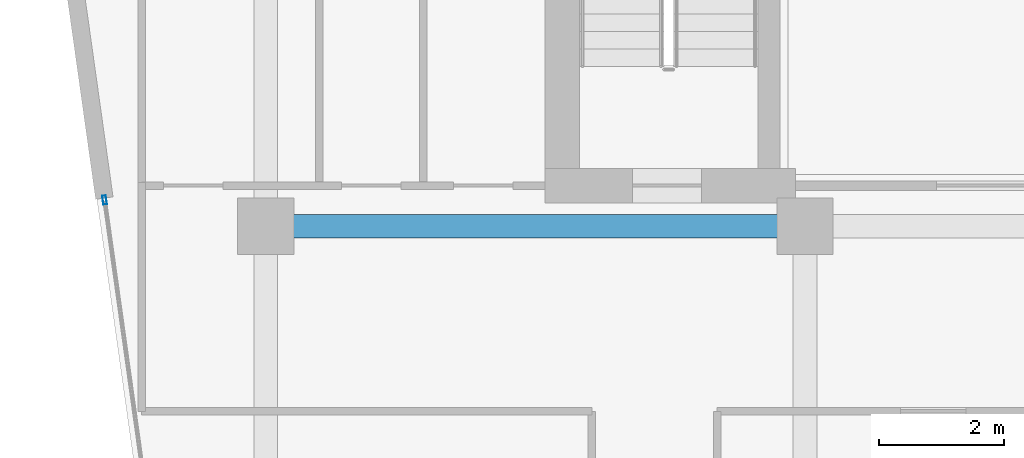
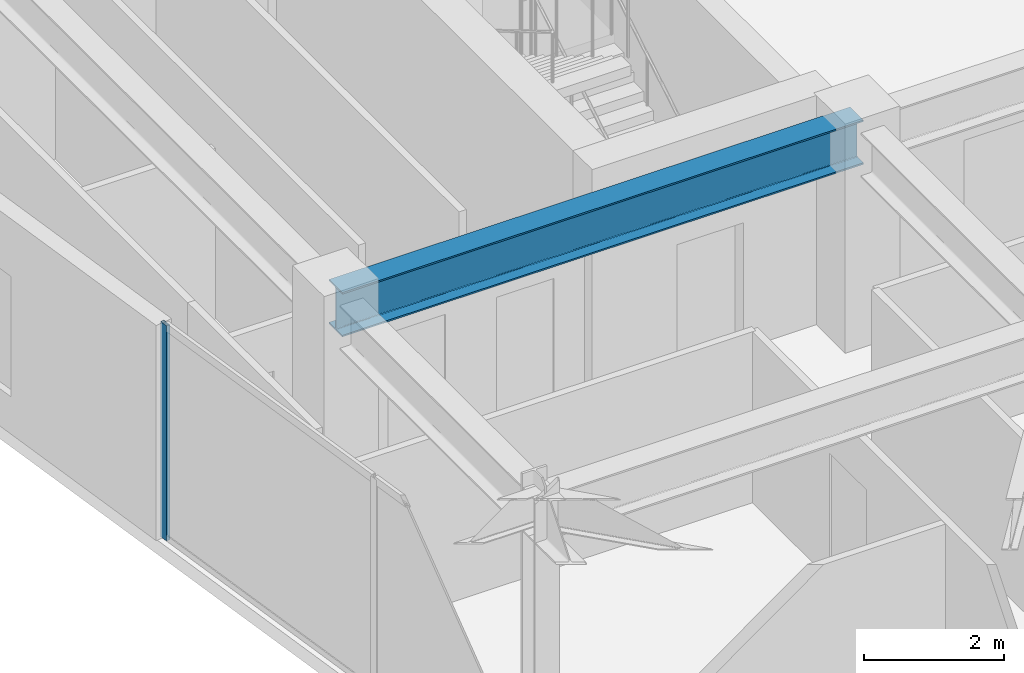
# One storey, part 12 of 26: 1 beam, 1 member, 1 element without a shape of its own.
"""IFC4 building model written with IfcOpenShell, lengths in metres."""

import ifcopenshell
import ifcopenshell.guid

model = None  # the IFC model being written
_history = None  # IfcOwnerHistory: only IFC2X3 demands one
_inside = {}  # id of a spatial element -> (the spatial element, [elements in it])
_under = {}  # id of a project, library or spatial element -> (it, [spatial elements below it])
_declared = {}  # id of a project -> (the project, [libraries it declares])
_typed = {}  # id of a type object -> (the type object, [elements of that type])
_made_of = {}  # id of a material, layer set ... -> (it, [elements and type objects made of it])


def new_model(schema):
    """Start an empty IFC model of exactly this schema.

    Asked for "IFC4X3", IfcOpenShell would pick the latest addendum, in which some entities
    have other attributes; the version numbers below select the first issue.
    IFC2X3 requires an IfcOwnerHistory on every rooted entity: one is made here for all.
    """
    global model, _history
    if schema == "IFC4X3":
        model = ifcopenshell.file(schema_version=(4, 3, 0, 0))
    else:
        model = ifcopenshell.file(schema=schema)
    _inside.clear()
    _under.clear()
    _declared.clear()
    _typed.clear()
    _made_of.clear()
    _history = None
    if model.schema == "IFC2X3":
        org = make("IfcOrganization", Name="unknown")
        user = make(
            "IfcPersonAndOrganization",
            ThePerson=make("IfcPerson", FamilyName="unknown"),
            TheOrganization=org,
        )
        app = make(
            "IfcApplication",
            ApplicationDeveloper=org,
            Version="unknown",
            ApplicationFullName="unknown",
            ApplicationIdentifier="unknown",
        )
        _history = make(
            "IfcOwnerHistory",
            OwningUser=user,
            OwningApplication=app,
            ChangeAction="ADDED",
            CreationDate=0,
        )
    return model


def make(cls, **values):
    """One entity of the class cls with the attributes given. An attribute that is None is left unset."""
    return model.create_entity(
        cls, **{name: value for name, value in values.items() if value is not None}
    )


def rooted(cls, **values):
    """An entity with a GlobalId (a new one), such as an element, a storey or a relation."""
    return make(cls, GlobalId=ifcopenshell.guid.new(), OwnerHistory=_history, **values)


def si_unit(unit_type, name, prefix=None):
    """IfcSIUnit, for example si_unit("LENGTHUNIT", "METRE", prefix="MILLI")."""
    return make("IfcSIUnit", UnitType=unit_type, Prefix=prefix, Name=name)


def assignment(units):
    """IfcUnitAssignment: the units of a project."""
    return None if units is None else make("IfcUnitAssignment", Units=units)


def point(xyz):
    """IfcCartesianPoint."""
    return None if xyz is None else make("IfcCartesianPoint", Coordinates=xyz)


def direction(xyz):
    """IfcDirection."""
    return None if xyz is None else make("IfcDirection", DirectionRatios=xyz)


def frame(location, z_axis=None, x_axis=None):
    """IfcAxis2Placement3D, a coordinate frame: its origin and axes. An axis left out is left unset."""
    return make(
        "IfcAxis2Placement3D",
        Location=point(location),
        Axis=direction(z_axis),
        RefDirection=direction(x_axis),
    )


def frame_2d(location, x_axis=None):
    """IfcAxis2Placement2D, a coordinate frame in the plane: its origin and x axis."""
    return make(
        "IfcAxis2Placement2D", Location=point(location), RefDirection=direction(x_axis)
    )


def origin():
    """The frame at (0, 0, 0) with its axes left unset."""
    return frame((0.0, 0.0, 0.0))


def origin_2d():
    """The frame at (0, 0) in the plane with its x axis left unset."""
    return frame_2d((0.0, 0.0))


def place(relative_to, where):
    """IfcLocalPlacement: puts the frame where relative to a parent placement (None: the world)."""
    return make(
        "IfcLocalPlacement", PlacementRelTo=relative_to, RelativePlacement=where
    )


def context(
    kind, dimensions, precision=None, world=None, true_north=None, identifier=None
):
    """IfcGeometricRepresentationContext, for example the 3D "Model" context."""
    return make(
        "IfcGeometricRepresentationContext",
        ContextIdentifier=identifier,
        ContextType=kind,
        CoordinateSpaceDimension=dimensions,
        Precision=precision,
        WorldCoordinateSystem=world,
        TrueNorth=true_north,
    )


def subcontext(parent, identifier, kind, view, scale=None):
    """IfcGeometricRepresentationSubContext, for example "Body" below "Model"."""
    return make(
        "IfcGeometricRepresentationSubContext",
        ContextIdentifier=identifier,
        ContextType=kind,
        ParentContext=parent,
        TargetScale=scale,
        TargetView=view,
    )


def project(units=None, contexts=None):
    """IfcProject with its units and contexts."""
    return rooted(
        "IfcProject",
        Name="project",
        RepresentationContexts=contexts,
        UnitsInContext=assignment(units),
    )


def spatial(cls, under=None, at=None, **own):
    """A site, building, storey or space (cls), placed at a placement, below another one or the project."""
    s = rooted(cls, ObjectPlacement=at, **own)
    if under is not None:
        _under.setdefault(under.id(), (under, []))[1].append(s)
    return s


def profile(cls, at=None, kind="AREA", **sizes):
    """A parametric profile (cls). Its sizes go by their IFC names, for example OverallWidth=200.0."""
    return make(cls, ProfileType=kind, Position=at, **sizes)


def hollow_rectangle(**sizes):
    """IfcRectangleHollowProfileDef."""
    return profile("IfcRectangleHollowProfileDef", **sizes)


def i_section(**sizes):
    """IfcIShapeProfileDef."""
    return profile("IfcIShapeProfileDef", **sizes)


def extrude(swept, where, along, depth):
    """IfcExtrudedAreaSolid: the profile swept, set in the frame where, extruded along a direction by depth."""
    return make(
        "IfcExtrudedAreaSolid",
        SweptArea=swept,
        Position=where,
        ExtrudedDirection=direction(along),
        Depth=depth,
    )


def shape(context_of_items, identifier, shape_type, items):
    """IfcShapeRepresentation: the items that make up one representation, for example the "Body"."""
    return make(
        "IfcShapeRepresentation",
        ContextOfItems=context_of_items,
        RepresentationIdentifier=identifier,
        RepresentationType=shape_type,
        Items=items,
    )


def material(Name=None, Category=None):
    """IfcMaterial."""
    return make("IfcMaterial", Name=Name, Category=Category)


def layer(
    of_material, thickness, ventilated=None, Name=None, Category=None, Priority=None
):
    """IfcMaterialLayer: one layer of a wall or slab, of a material (None: an air gap)."""
    return make(
        "IfcMaterialLayer",
        Material=of_material,
        LayerThickness=thickness,
        IsVentilated=ventilated,
        Name=Name,
        Category=Category,
        Priority=Priority,
    )


def layer_set(layers, Name=None):
    """IfcMaterialLayerSet."""
    return make("IfcMaterialLayerSet", MaterialLayers=layers, LayerSetName=Name)


def material_profile(
    of_material, cross_section, Name=None, Category=None, Priority=None
):
    """IfcMaterialProfile: a cross section and its material."""
    return make(
        "IfcMaterialProfile",
        Name=Name,
        Material=of_material,
        Profile=cross_section,
        Priority=Priority,
        Category=Category,
    )


def profile_set(profiles, Name=None, composite=None):
    """IfcMaterialProfileSet."""
    return make(
        "IfcMaterialProfileSet",
        Name=Name,
        MaterialProfiles=profiles,
        CompositeProfile=composite,
    )


def made_of(thing, what):
    """Note that an element or type object is made of a material, layer set ...; save() writes the relation."""
    if what is not None:
        _made_of.setdefault(what.id(), (what, []))[1].append(thing)
    return thing


def type_object(cls, material=None, **own):
    """A type object (cls), such as IfcWallType, which elements share."""
    return made_of(rooted(cls, **own), material)


def element(
    cls,
    number,
    at=None,
    inside=None,
    cuts=None,
    type_object=None,
    material=None,
    context=None,
    identifier="Body",
    shape_type=None,
    held_by="IfcProductDefinitionShape",
    body=None,
    shapes=None,
    **own,
):
    """One element of the class cls, such as IfcWall. Its Tag is "e" and its number.

    at: its placement. inside: the storey or other place that contains it. cuts: it is an
    opening in that element (IfcRelVoidsElement). A single representation is given by context,
    identifier, shape_type and body (its items); several are given by shapes. held_by: the class
    of the entity that holds the representations. save() writes the other relations.
    """
    e = rooted(cls, Tag="e%d" % number, ObjectPlacement=at, **own)
    if body is not None:
        shapes = [shape(context, identifier, shape_type, body)]
    if shapes is not None:
        e.Representation = make(held_by, Representations=shapes)
    if inside is not None:
        _inside.setdefault(inside.id(), (inside, []))[1].append(e)
    if cuts is not None:
        rooted(
            "IfcRelVoidsElement", RelatingBuildingElement=cuts, RelatedOpeningElement=e
        )
    if type_object is not None:
        _typed.setdefault(type_object.id(), (type_object, []))[1].append(e)
    return made_of(e, material)


def aggregate(whole, parts):
    """IfcRelAggregates: a whole, such as a stair, and the parts it consists of."""
    return rooted("IfcRelAggregates", RelatingObject=whole, RelatedObjects=parts)


def save(model, path):
    """Write the relations noted so far, then the file.

    IfcRelAggregates (storeys below a building ...), IfcRelContainedInSpatialStructure (elements
    in a storey), IfcRelDefinesByType, IfcRelAssociatesMaterial and IfcRelDeclares: one each for
    every whole, place, type object, material and project.
    """
    for whole, parts in _under.values():
        aggregate(whole, parts)
    for where, things in _inside.values():
        rooted(
            "IfcRelContainedInSpatialStructure",
            RelatedElements=things,
            RelatingStructure=where,
        )
    for kind, things in _typed.values():
        rooted("IfcRelDefinesByType", RelatedObjects=things, RelatingType=kind)
    for what, things in _made_of.values():
        rooted("IfcRelAssociatesMaterial", RelatedObjects=things, RelatingMaterial=what)
    for by, libraries in _declared.values():
        rooted("IfcRelDeclares", RelatingContext=by, RelatedDefinitions=libraries)
    model.write(path)


model = new_model("IFC4")

# Units and contexts
model_context = context("Model", 3, precision=1e-05, world=origin(), true_north=direction((0.0, 1.0)))
body_context = subcontext(model_context, "Body", "Model", "MODEL_VIEW")
ifc_project = project(units=[si_unit("LENGTHUNIT", "METRE"), si_unit("AREAUNIT", "SQUARE_METRE"), si_unit("VOLUMEUNIT", "CUBIC_METRE"), si_unit("PLANEANGLEUNIT", "RADIAN"), si_unit("MASSUNIT", "GRAM", prefix="KILO")], contexts=[model_context])

# Site, building, storey
site_placement = place(None, origin())
site = spatial("IfcSite", under=ifc_project, at=site_placement, CompositionType="ELEMENT")
building_placement = place(site_placement, origin())
building = spatial("IfcBuilding", under=site, at=building_placement, Name="Kravanh Interchange Tower", CompositionType="ELEMENT")
storey_placement = place(building_placement, frame((0.0, 0.0, 212.5)))
storey = spatial("IfcBuildingStorey", under=building, at=storey_placement, Name="L51", CompositionType="ELEMENT", Elevation=212.5)

# Curtain wall, member
ifc_material_1 = material(Name="Anodised Bronze Aluminium", Category="aluminium")
ifc_layer = layer(ifc_material_1, 0.179931640625)
ifc_layer_set = layer_set([ifc_layer], Name="Unitised Curtain Wall System CW-Z3 Upper Office")
curtain_wall_type = type_object("IfcCurtainWallType", Name="Unitised Curtain Wall System CW-Z3 Upper Office", PredefinedType="NOTDEFINED", material=ifc_layer_set)
curtain_wall_placement = place(storey_placement, origin())
curtain_wall = element("IfcCurtainWall", 1, at=curtain_wall_placement, inside=storey, type_object=curtain_wall_type, Name="L51 Unitised Curtain Wall CW-L51-01", PredefinedType="NOTDEFINED")
ifc_material_2 = material(Name="Anodised Bronze Aluminium", Category="aluminium")
ifc_material_profile_1 = material_profile(ifc_material_2, hollow_rectangle(XDim=0.06005859375, YDim=0.139892578125, WallThickness=0.00390625, at=origin_2d()), Name="ALU60X140X4")
ifc_profile_set_1 = profile_set([ifc_material_profile_1], Name="Anodised Bronze Aluminium")
member_type = type_object("IfcMemberType", Name="Curtain Wall Mullion ALU60X140X4 Bronze", PredefinedType="MULLION", material=ifc_profile_set_1)
member_placement = place(storey_placement, frame((16.029296875, 37.770263671875, 0.0), z_axis=(0.0, 0.0, 1.0), x_axis=(-0.990268194035, -0.139172209446, 0.0)))
member = element("IfcMember", 2, at=member_placement, type_object=member_type, Name="CW-Z3 mullion 6", PredefinedType="MULLION", context=body_context, shape_type="SweptSolid", body=[
    extrude(hollow_rectangle(XDim=0.06005859375, YDim=0.139892578125, WallThickness=0.00390625, at=origin_2d()), origin(), (0.0, 0.0, 1.0), 3.7548828125),
])
aggregate(curtain_wall, [member])

# Beam
ifc_material_3 = material(Name="Structural Steel S355", Category="steel")
ifc_material_profile_2 = material_profile(ifc_material_3, i_section(OverallWidth=0.381103515625, OverallDepth=0.77294921875, WebThickness=0.0166015625, FlangeThickness=0.027099609375, FilletRadius=0.02490234375, at=origin_2d()), Name="W30X173")
ifc_profile_set_2 = profile_set([ifc_material_profile_2], Name="Structural Steel S355")
beam_type = type_object("IfcBeamType", Name="Floor Beam W30X173 Structural Steel S355", PredefinedType="BEAM", material=ifc_profile_set_2)
beam_placement = place(storey_placement, frame((27.199951171875, 37.35009765625, 3.368408203125), z_axis=(-1.0, 0.0, 0.0), x_axis=(0.0, -1.0, 0.0)))
element("IfcBeam", 3, at=beam_placement, inside=storey, type_object=beam_type, Name="L51 Primary Floor Girder 25", PredefinedType="BEAM", context=body_context, shape_type="SweptSolid", body=[
    extrude(i_section(OverallWidth=0.381103515625, OverallDepth=0.77294921875, WebThickness=0.0166015625, FlangeThickness=0.027099609375, FilletRadius=0.02490234375, at=origin_2d()), origin(), (0.0, 0.0, 1.0), 8.599853515625),
])

save(model, "model.ifc")
